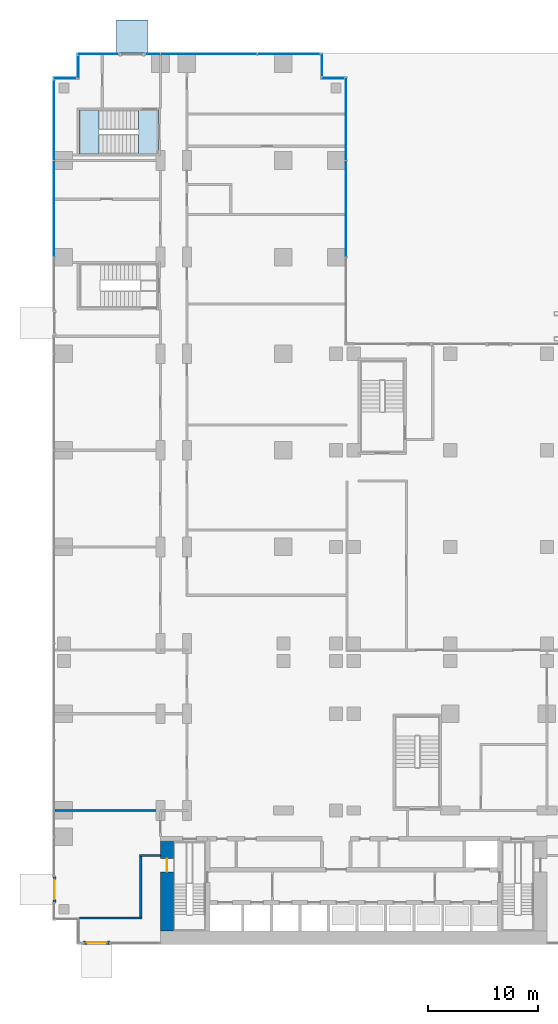
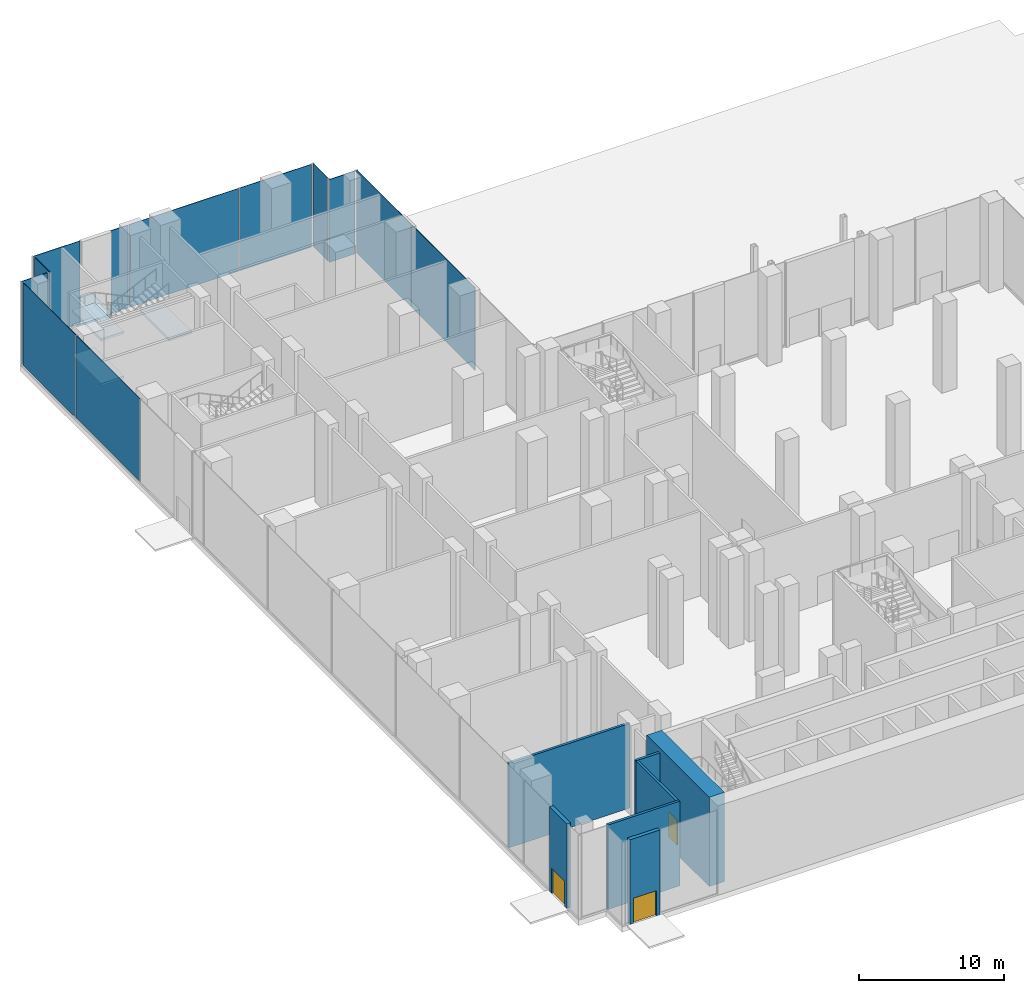
# One storey, part 23 of 41: 12 plates, 7 walls, 4 slabs, 3 doors, 3 openings, 9 elements without a shape of their own.
"""IFC4 building model written with IfcOpenShell, lengths in metres."""

from ifc_helpers import new_model, si_unit, direction, frame, frame_2d, origin, origin_2d, place, context, subcontext, project, spatial, polyline, rectangle, outline, extrude, source, transform, mapped, material, layer, layer_set, type_object, element, fill, aggregate, save


model = new_model("IFC4")

# Units and contexts
model_context = context("Model", 3, precision=1e-05, world=origin(), true_north=direction((0.0, 1.0)))
body_context = subcontext(model_context, "Body", "Model", "MODEL_VIEW")
ifc_project = project(units=[si_unit("LENGTHUNIT", "METRE"), si_unit("AREAUNIT", "SQUARE_METRE"), si_unit("VOLUMEUNIT", "CUBIC_METRE"), si_unit("PLANEANGLEUNIT", "RADIAN"), si_unit("MASSUNIT", "GRAM", prefix="KILO")], contexts=[model_context])

# Site, building, storey
site_placement = place(None, origin())
site = spatial("IfcSite", under=ifc_project, at=site_placement, CompositionType="ELEMENT")
building_placement = place(site_placement, origin())
building = spatial("IfcBuilding", under=site, at=building_placement, Name="Kemantara Hotel Tower", CompositionType="ELEMENT")
storey_placement = place(building_placement, origin())
storey = spatial("IfcBuildingStorey", under=building, at=storey_placement, Name="L00", CompositionType="ELEMENT", Elevation=0.0)

# Slab
ifc_material_1 = material(Name="Granite paving on concrete base (fc 25 MPa)", Category="masonry")
ifc_layer_1 = layer(ifc_material_1, 0.14990234375)
ifc_layer_set_1 = layer_set([ifc_layer_1], Name="Granite paving on concrete base (fc 25 MPa)")
slab_type_1 = type_object("IfcSlabType", Name="PLAZA PAVING 150", PredefinedType="USERDEFINED", material=ifc_layer_set_1)
slab_1_placement = place(storey_placement, frame((0.0, 0.0, -0.14990234375)))
element("IfcSlab", 1, at=slab_1_placement, inside=storey, type_object=slab_type_1, Name="ENTRANCE PAVING EXIT-ST6", ObjectType="PAVING", PredefinedType="USERDEFINED", context=body_context, shape_type="SweptSolid", body=[
    extrude(outline(polyline([(5.800048828125, 81.199951171875), (5.800048828125, 84.199951171875), (8.60009765625, 84.199951171875), (8.60009765625, 81.199951171875), (5.800048828125, 81.199951171875)])), origin(), (0.0, 0.0, 1.0), 0.14990234375),
])

# Stair, slabs
ifc_material_2 = material(Name="Concrete fc 40 MPa", Category="concrete")
stair_type = type_object("IfcStairType", Name="Stair 1800 wide 44 risers of 170 x 360 mm", PredefinedType="HALF_TURN_STAIR", material=ifc_material_2)
stair_placement = place(storey_placement, origin())
stair = element("IfcStair", 2, at=stair_placement, inside=storey, type_object=stair_type, Name="L00 Exit stair ST6", PredefinedType="HALF_TURN_STAIR")
ifc_layer_2 = layer(ifc_material_2, 0.199951171875)
ifc_layer_set_2 = layer_set([ifc_layer_2], Name="Concrete fc 40 MPa")
slab_type_2 = type_object("IfcSlabType", Name="Stair landing 200 mm", PredefinedType="LANDING", material=ifc_layer_set_2)
slab_2_placement = place(storey_placement, frame((0.0, 0.0, 1.675048828125)))
slab_2 = element("IfcSlab", 3, at=slab_2_placement, type_object=slab_type_2, Name="ST6 landing 1", PredefinedType="LANDING", context=body_context, shape_type="SweptSolid", body=[
    extrude(outline(polyline([(4.199951171875, 76.0), (2.39990234375, 76.0), (2.39990234375, 72.0), (4.199951171875, 72.0), (4.199951171875, 76.0)])), origin(), (0.0, 0.0, 1.0), 0.199951171875),
])
slab_3_placement = place(storey_placement, frame((0.0, 0.0, 3.550048828125)))
slab_3 = element("IfcSlab", 4, at=slab_3_placement, type_object=slab_type_2, Name="ST6 landing 2", PredefinedType="LANDING", context=body_context, shape_type="SweptSolid", body=[
    extrude(outline(polyline([(9.60009765625, 76.0), (7.800048828125, 76.0), (7.800048828125, 72.0), (9.60009765625, 72.0), (9.60009765625, 76.0)])), origin(), (0.0, 0.0, 1.0), 0.199951171875),
])
slab_4_placement = place(storey_placement, frame((0.0, 0.0, 5.425048828125)))
slab_4 = element("IfcSlab", 5, at=slab_4_placement, type_object=slab_type_2, Name="ST6 landing 3", PredefinedType="LANDING", context=body_context, shape_type="SweptSolid", body=[
    extrude(outline(polyline([(4.199951171875, 76.0), (2.39990234375, 76.0), (2.39990234375, 72.0), (4.199951171875, 72.0), (4.199951171875, 76.0)])), origin(), (0.0, 0.0, 1.0), 0.199951171875),
])
aggregate(stair, [slab_2, slab_3, slab_4])

# Curtain wall, plate
ifc_material_3 = material(Name="Laminated tinted insulated glass 44 mm", Category="glass")
curtain_wall_type = type_object("IfcCurtainWallType", Name="PODIUM GLASS CURTAIN WALL", PredefinedType="USERDEFINED", material=ifc_material_3)
curtain_wall_1_placement = place(storey_placement, origin())
curtain_wall_1 = element("IfcCurtainWall", 6, at=curtain_wall_1_placement, inside=storey, type_object=curtain_wall_type, Name="CW1 L00 POD-R10-1", ObjectType="PODIUM GLASS CURTAIN WALL", PredefinedType="USERDEFINED")
ifc_layer_3 = layer(ifc_material_3, 0.0439453125)
ifc_layer_set_3 = layer_set([ifc_layer_3], Name="Laminated tinted insulated glass 44 mm")
plate_type = type_object("IfcPlateType", Name="PODIUM GLASS CURTAIN WALL PANEL", PredefinedType="CURTAIN_PANEL", material=ifc_layer_set_3)
shared_shape_1 = source(origin(), body_context, "Body", "SweptSolid", [
    extrude(rectangle(XDim=8.72509765625, YDim=0.0439453125, at=origin_2d()), origin(), (0.0, 0.0, 1.0), 6.949951171875),
])
plate_1_placement = place(storey_placement, frame((26.699951171875, 67.0, 0.14990234375), z_axis=(0.0, 0.0, 1.0), x_axis=(0.0, 1.0, 0.0)))
plate_1 = element("IfcPlate", 7, at=plate_1_placement, type_object=plate_type, Name="CW1 glass panel POD-R10-1.2", PredefinedType="CURTAIN_PANEL", context=body_context, shape_type="MappedRepresentation", body=[
    mapped(shared_shape_1, transform((0.0, 0.0, 0.0))),
])

curtain_wall_2_placement = place(storey_placement, origin())
curtain_wall_2 = element("IfcCurtainWall", 8, at=curtain_wall_2_placement, inside=storey, type_object=curtain_wall_type, Name="CW1 L00 POD-R13-1", ObjectType="PODIUM GLASS CURTAIN WALL", PredefinedType="USERDEFINED")
plate_2_placement = place(storey_placement, frame((14.199951171875, 81.10009765625, 0.14990234375), z_axis=(0.0, 0.0, 1.0), x_axis=(-1.0, 0.0, 0.0)))
plate_2 = element("IfcPlate", 9, at=plate_2_placement, type_object=plate_type, Name="CW1 glass panel POD-R13-1.2", PredefinedType="CURTAIN_PANEL", context=body_context, shape_type="MappedRepresentation", body=[
    mapped(shared_shape_1, transform((0.0, 0.0, 0.0))),
])

curtain_wall_3_placement = place(storey_placement, origin())
curtain_wall_3 = element("IfcCurtainWall", 10, at=curtain_wall_3_placement, inside=storey, type_object=curtain_wall_type, Name="CW1 L00 POD-R16-1", ObjectType="PODIUM GLASS CURTAIN WALL", PredefinedType="USERDEFINED")
plate_3_placement = place(storey_placement, frame((0.10009765625, 67.0, 0.14990234375), z_axis=(0.0, 0.0, 1.0), x_axis=(0.0, -1.0, 0.0)))
plate_3 = element("IfcPlate", 11, at=plate_3_placement, type_object=plate_type, Name="CW1 glass panel POD-R16-1.2", PredefinedType="CURTAIN_PANEL", context=body_context, shape_type="MappedRepresentation", body=[
    mapped(shared_shape_1, transform((0.0, 0.0, 0.0))),
])

# Plate
shared_shape_2 = source(origin(), body_context, "Body", "SweptSolid", [
    extrude(rectangle(XDim=7.487548828125, YDim=0.0439453125, at=origin_2d()), origin(), (0.0, 0.0, 1.0), 6.949951171875),
])
plate_4_placement = place(storey_placement, frame((26.699951171875, 75.18115234375, 0.14990234375), z_axis=(0.0, 0.0, 1.0), x_axis=(0.0, 1.0, 0.0)))
plate_4 = element("IfcPlate", 12, at=plate_4_placement, type_object=plate_type, Name="CW1 glass panel POD-R10-1.3", PredefinedType="CURTAIN_PANEL", context=body_context, shape_type="MappedRepresentation", body=[
    mapped(shared_shape_2, transform((0.0, 0.0, 0.0))),
])

aggregate(curtain_wall_1, [plate_1, plate_4])

shared_shape_3 = source(origin(), body_context, "Body", "SweptSolid", [
    extrude(rectangle(XDim=7.28759765625, YDim=0.0439453125, at=origin_2d()), origin(), (0.0, 0.0, 1.0), 6.949951171875),
])
plate_5_placement = place(storey_placement, frame((0.10009765625, 75.081298828125, 0.14990234375), z_axis=(0.0, 0.0, 1.0), x_axis=(0.0, -1.0, 0.0)))
plate_5 = element("IfcPlate", 13, at=plate_5_placement, type_object=plate_type, Name="CW1 glass panel POD-R16-1.1", PredefinedType="CURTAIN_PANEL", context=body_context, shape_type="MappedRepresentation", body=[
    mapped(shared_shape_3, transform((0.0, 0.0, 0.0))),
])

aggregate(curtain_wall_3, [plate_5, plate_3])

shared_shape_4 = source(origin(), body_context, "Body", "SweptSolid", [
    extrude(rectangle(XDim=5.6875, YDim=0.0439453125, at=origin_2d()), origin(), (0.0, 0.0, 1.0), 6.949951171875),
])
plate_6_placement = place(storey_placement, frame((21.481201171875, 81.10009765625, 0.14990234375), z_axis=(0.0, 0.0, 1.0), x_axis=(-1.0, 0.0, 0.0)))
plate_6 = element("IfcPlate", 14, at=plate_6_placement, type_object=plate_type, Name="CW1 glass panel POD-R13-1.1", PredefinedType="CURTAIN_PANEL", context=body_context, shape_type="MappedRepresentation", body=[
    mapped(shared_shape_4, transform((0.0, 0.0, 0.0))),
])

shared_shape_5 = source(origin(), body_context, "Body", "SweptSolid", [
    extrude(rectangle(XDim=1.324951171875, YDim=0.0439453125, at=origin_2d()), origin(), (0.0, 0.0, 1.0), 6.949951171875),
])
plate_7_placement = place(storey_placement, frame((9.10009765625, 81.10009765625, 0.14990234375), z_axis=(0.0, 0.0, 1.0), x_axis=(-1.0, 0.0, 0.0)))
plate_7 = element("IfcPlate", 15, at=plate_7_placement, type_object=plate_type, Name="CW1 glass panel POD-R13-1.3", PredefinedType="CURTAIN_PANEL", context=body_context, shape_type="MappedRepresentation", body=[
    mapped(shared_shape_5, transform((0.0, 0.0, 0.0))),
])

aggregate(curtain_wall_2, [plate_6, plate_2, plate_7])

# Curtain wall, plate
curtain_wall_4_placement = place(storey_placement, origin())
curtain_wall_4 = element("IfcCurtainWall", 16, at=curtain_wall_4_placement, inside=storey, type_object=curtain_wall_type, Name="CW1 L00 POD-R13-2", ObjectType="PODIUM GLASS CURTAIN WALL", PredefinedType="USERDEFINED")
shared_shape_6 = source(origin(), body_context, "Body", "SweptSolid", [
    extrude(rectangle(XDim=3.6875, YDim=0.0439453125, at=origin_2d()), origin(), (0.0, 0.0, 1.0), 6.949951171875),
])
plate_8_placement = place(storey_placement, frame((4.11865234375, 81.10009765625, 0.14990234375), z_axis=(0.0, 0.0, 1.0), x_axis=(-1.0, 0.0, 0.0)))
plate_8 = element("IfcPlate", 17, at=plate_8_placement, type_object=plate_type, Name="CW1 glass panel POD-R13-2.1", PredefinedType="CURTAIN_PANEL", context=body_context, shape_type="MappedRepresentation", body=[
    mapped(shared_shape_6, transform((0.0, 0.0, 0.0))),
])
aggregate(curtain_wall_4, [plate_8])

curtain_wall_5_placement = place(storey_placement, origin())
curtain_wall_5 = element("IfcCurtainWall", 18, at=curtain_wall_5_placement, inside=storey, type_object=curtain_wall_type, Name="CW1 L00 POD-R11-1", ObjectType="PODIUM GLASS CURTAIN WALL", PredefinedType="USERDEFINED")
shared_shape_7 = source(origin(), body_context, "Body", "SweptSolid", [
    extrude(rectangle(XDim=2.050048828125, YDim=0.0439453125, at=origin_2d()), origin(), (0.0, 0.0, 1.0), 6.949951171875),
])
plate_9_placement = place(storey_placement, frame((25.5, 78.89990234375, 0.14990234375), z_axis=(0.0, 0.0, 1.0), x_axis=(-1.0, 0.0, 0.0)))
plate_9 = element("IfcPlate", 19, at=plate_9_placement, type_object=plate_type, Name="CW1 glass panel POD-R11-1.1", PredefinedType="CURTAIN_PANEL", context=body_context, shape_type="MappedRepresentation", body=[
    mapped(shared_shape_7, transform((0.0, 0.0, 0.0))),
])
aggregate(curtain_wall_5, [plate_9])

curtain_wall_6_placement = place(storey_placement, origin())
curtain_wall_6 = element("IfcCurtainWall", 20, at=curtain_wall_6_placement, inside=storey, type_object=curtain_wall_type, Name="CW1 L00 POD-R12-1", ObjectType="PODIUM GLASS CURTAIN WALL", PredefinedType="USERDEFINED")
plate_10_placement = place(storey_placement, frame((24.5, 80.10009765625, 0.14990234375), z_axis=(0.0, 0.0, 1.0), x_axis=(0.0, 1.0, 0.0)))
plate_10 = element("IfcPlate", 21, at=plate_10_placement, type_object=plate_type, Name="CW1 glass panel POD-R12-1.1", PredefinedType="CURTAIN_PANEL", context=body_context, shape_type="MappedRepresentation", body=[
    mapped(shared_shape_7, transform((0.0, 0.0, 0.0))),
])
aggregate(curtain_wall_6, [plate_10])

curtain_wall_7_placement = place(storey_placement, origin())
curtain_wall_7 = element("IfcCurtainWall", 22, at=curtain_wall_7_placement, inside=storey, type_object=curtain_wall_type, Name="CW1 L00 POD-R14-1", ObjectType="PODIUM GLASS CURTAIN WALL", PredefinedType="USERDEFINED")
plate_11_placement = place(storey_placement, frame((2.300048828125, 79.89990234375, 0.14990234375), z_axis=(0.0, 0.0, 1.0), x_axis=(0.0, -1.0, 0.0)))
plate_11 = element("IfcPlate", 23, at=plate_11_placement, type_object=plate_type, Name="CW1 glass panel POD-R14-1.1", PredefinedType="CURTAIN_PANEL", context=body_context, shape_type="MappedRepresentation", body=[
    mapped(shared_shape_7, transform((0.0, 0.0, 0.0))),
])
aggregate(curtain_wall_7, [plate_11])

curtain_wall_8_placement = place(storey_placement, origin())
curtain_wall_8 = element("IfcCurtainWall", 24, at=curtain_wall_8_placement, inside=storey, type_object=curtain_wall_type, Name="CW1 L00 POD-R15-1", ObjectType="PODIUM GLASS CURTAIN WALL", PredefinedType="USERDEFINED")
plate_12_placement = place(storey_placement, frame((1.10009765625, 78.89990234375, 0.14990234375), z_axis=(0.0, 0.0, 1.0), x_axis=(-1.0, 0.0, 0.0)))
plate_12 = element("IfcPlate", 25, at=plate_12_placement, type_object=plate_type, Name="CW1 glass panel POD-R15-1.1", PredefinedType="CURTAIN_PANEL", context=body_context, shape_type="MappedRepresentation", body=[
    mapped(shared_shape_7, transform((0.0, 0.0, 0.0))),
])
aggregate(curtain_wall_8, [plate_12])

# Wall, opening, door
ifc_material_4 = material(Name="Bronze-clad aluminium panel", Category="aluminium")
ifc_layer_4 = layer(ifc_material_4, 0.300048828125)
ifc_layer_set_4 = layer_set([ifc_layer_4], Name="Bronze-clad aluminium panel")
wall_type_1 = type_object("IfcWallType", Name="BRONZE-CLAD EXTERNAL WALL 300", PredefinedType="STANDARD", material=ifc_layer_set_4)
wall_1_placement = place(storey_placement, frame((0.14990234375, 3.800048828125, 0.0), z_axis=(0.0, 0.0, 1.0), x_axis=(0.0, 1.0, 0.0)))
wall_1 = element("IfcWall", 26, at=wall_1_placement, inside=storey, type_object=wall_type_1, Name="EXTERNAL WALL AT ENTRANCE", PredefinedType="STANDARD", context=body_context, shape_type="SweptSolid", body=[
    extrude(rectangle(XDim=2.39990234375, YDim=0.300048828125, at=frame_2d((1.199951171875, 0.0))), origin(), (0.0, 0.0, 1.0), 7.10009765625),
])
opening_1_placement = place(wall_1_placement, frame((0.300048828125, 0.0, 0.0)))
opening_1 = element("IfcOpeningElement", 27, at=opening_1_placement, cuts=wall_1, Name="Opening L00-B039", PredefinedType="OPENING", context=body_context, shape_type="SweptSolid", body=[
    extrude(rectangle(XDim=1.800048828125, YDim=2.10009765625, at=frame_2d((0.89990234375, 1.050048828125))), frame((0.0, 0.159912109375, 0.0), z_axis=(0.0, -1.0, 0.0), x_axis=(1.0, 0.0, 0.0)), (0.0, 0.0, 1.0), 0.320068359375),
])
ifc_material_5 = material(Name="Galvanised steel door leaf", Category="steel")
door_type_1 = type_object("IfcDoorType", Name="FIRE-RATED STEEL DOOR DOUBLE LEAF 1800 X 2100", OperationType="DOUBLE_DOOR_SINGLE_SWING", PredefinedType="DOOR", material=ifc_material_5)
door_1_placement = place(opening_1_placement, origin())
door_1 = element("IfcDoor", 28, at=door_1_placement, inside=storey, type_object=door_type_1, Name="ENTRANCE DOOR", OperationType="DOUBLE_DOOR_SINGLE_SWING", OverallHeight=2.10009765625, OverallWidth=1.800048828125, PredefinedType="DOOR", context=body_context, shape_type="SweptSolid", body=[
    extrude(rectangle(XDim=1.800048828125, YDim=2.10009765625, at=frame_2d((0.89990234375, 1.050048828125))), frame((0.0, 0.02490234375, 0.0), z_axis=(0.0, -1.0, 0.0), x_axis=(1.0, 0.0, 0.0)), (0.0, 0.0, 1.0), 0.050048828125),
])
fill(opening_1, door_1)

wall_2_placement = place(storey_placement, frame((5.199951171875, 0.14990234375, 0.0), z_axis=(0.0, 0.0, 1.0), x_axis=(-1.0, 0.0, 0.0)))
wall_2 = element("IfcWall", 29, at=wall_2_placement, inside=storey, type_object=wall_type_1, Name="EXTERNAL WALL AT ENTRANCE", PredefinedType="STANDARD", context=body_context, shape_type="SweptSolid", body=[
    extrude(rectangle(XDim=2.39990234375, YDim=0.300048828125, at=frame_2d((1.199951171875, 0.0))), origin(), (0.0, 0.0, 1.0), 7.10009765625),
])
opening_2_placement = place(wall_2_placement, frame((0.300048828125, 0.0, 0.0)))
opening_2 = element("IfcOpeningElement", 30, at=opening_2_placement, cuts=wall_2, Name="Opening L00-B040", PredefinedType="OPENING", context=body_context, shape_type="SweptSolid", body=[
    extrude(rectangle(XDim=1.800048828125, YDim=2.10009765625, at=frame_2d((0.89990234375, 1.050048828125))), frame((0.0, 0.159912109375, 0.0), z_axis=(0.0, -1.0, 0.0), x_axis=(1.0, 0.0, 0.0)), (0.0, 0.0, 1.0), 0.320068359375),
])
door_2_placement = place(opening_2_placement, origin())
door_2 = element("IfcDoor", 31, at=door_2_placement, inside=storey, type_object=door_type_1, Name="ENTRANCE DOOR", OperationType="DOUBLE_DOOR_SINGLE_SWING", OverallHeight=2.10009765625, OverallWidth=1.800048828125, PredefinedType="DOOR", context=body_context, shape_type="SweptSolid", body=[
    extrude(rectangle(XDim=1.800048828125, YDim=2.10009765625, at=frame_2d((0.89990234375, 1.050048828125))), frame((0.0, 0.02490234375, 0.0), z_axis=(0.0, -1.0, 0.0), x_axis=(1.0, 0.0, 0.0)), (0.0, 0.0, 1.0), 0.050048828125),
])
fill(opening_2, door_2)

ifc_material_6 = material(Name="Concrete fc 70 MPa", Category="concrete")
ifc_layer_5 = layer(ifc_material_6, 1.199951171875)
ifc_layer_set_5 = layer_set([ifc_layer_5], Name="Concrete fc 70 MPa")
wall_type_2 = type_object("IfcWallType", Name="CORE WALL 1200 FC70", PredefinedType="SHEAR", material=ifc_layer_set_5)
wall_3_placement = place(storey_placement, frame((10.39990234375, 1.199951171875, 0.0), z_axis=(0.0, 0.0, 1.0), x_axis=(0.0, 1.0, 0.0)))
wall_3 = element("IfcWall", 32, at=wall_3_placement, inside=storey, type_object=wall_type_2, Name="CORE WALL CW-W", PredefinedType="SHEAR", context=body_context, shape_type="SweptSolid", body=[
    extrude(rectangle(XDim=8.60009765625, YDim=1.199951171875, at=frame_2d((4.300048828125, 0.0))), origin(), (0.0, 0.0, 1.0), 7.5),
])
opening_3_placement = place(wall_3_placement, frame((5.39990234375, 0.0, 0.0)))
opening_3 = element("IfcOpeningElement", 33, at=opening_3_placement, cuts=wall_3, Name="Opening ST1-X", PredefinedType="OPENING", context=body_context, shape_type="SweptSolid", body=[
    extrude(rectangle(XDim=1.199951171875, YDim=2.10009765625, at=frame_2d((0.60009765625, 1.050048828125))), frame((0.0, 0.60986328125, 0.0), z_axis=(0.0, -1.0, 0.0), x_axis=(1.0, 0.0, 0.0)), (0.0, 0.0, 1.0), 1.219970703125),
])
ifc_material_7 = material(Name="Steel fire door", Category="steel")
door_type_2 = type_object("IfcDoorType", Name="Fire door FD90 1200 x 2100", OperationType="NOTDEFINED", PredefinedType="DOOR", material=ifc_material_7)
door_3_placement = place(opening_3_placement, origin())
door_3 = element("IfcDoor", 34, at=door_3_placement, inside=storey, type_object=door_type_2, Name="Stair ST1 exit door to its exit passage", OperationType="SINGLE_SWING_RIGHT", OverallHeight=2.10009765625, OverallWidth=1.199951171875, PredefinedType="DOOR", context=body_context, shape_type="SweptSolid", body=[
    extrude(rectangle(XDim=1.199951171875, YDim=2.10009765625, at=frame_2d((0.60009765625, 1.050048828125))), frame((0.0, 0.02490234375, 0.0), z_axis=(0.0, -1.0, 0.0), x_axis=(1.0, 0.0, 0.0)), (0.0, 0.0, 1.0), 0.050048828125),
])
fill(opening_3, door_3)

# Walls
ifc_material_8 = material(Name="Clay brick masonry", Category="masonry")
ifc_layer_6 = layer(ifc_material_8, 0.199951171875)
ifc_layer_set_6 = layer_set([ifc_layer_6], Name="Clay brick masonry")
wall_type_3 = type_object("IfcWallType", Name="FIRE-RATED CLAY BRICK WALL 200 EI 120", PredefinedType="PARTITIONING", material=ifc_layer_set_6)
wall_4_placement = place(storey_placement, frame((0.199951171875, 12.199951171875, 0.0), z_axis=(0.0, 0.0, 1.0), x_axis=(1.0, 0.0, 0.0)))
element("IfcWall", 35, at=wall_4_placement, inside=storey, type_object=wall_type_3, Name="FIRE WALL", PredefinedType="PARTITIONING", context=body_context, shape_type="SweptSolid", body=[
    extrude(rectangle(XDim=9.60009765625, YDim=0.199951171875, at=frame_2d((4.800048828125, 0.0))), origin(), (0.0, 0.0, 1.0), 7.10009765625),
])
ifc_material_9 = material(Name="Fire-rated gypsum board partition")
ifc_layer_7 = layer(ifc_material_9, 0.199951171875)
ifc_layer_set_7 = layer_set([ifc_layer_7], Name="Fire-rated gypsum board partition")
wall_type_4 = type_object("IfcWallType", Name="FIRE-RATED GYPSUM PARTITION 200 EI 60", PredefinedType="PARTITIONING", material=ifc_layer_set_7)
wall_5_placement = place(storey_placement, frame((2.39990234375, 2.39990234375, 0.0), z_axis=(0.0, 0.0, 1.0), x_axis=(1.0, 0.0, 0.0)))
element("IfcWall", 36, at=wall_5_placement, inside=storey, type_object=wall_type_4, Name="FIRE-RATED PARTITION", PredefinedType="PARTITIONING", context=body_context, shape_type="SweptSolid", body=[
    extrude(rectangle(XDim=5.7001953125, YDim=0.199951171875, at=frame_2d((2.85009765625, 0.0))), origin(), (0.0, 0.0, 1.0), 7.10009765625),
])
wall_6_placement = place(storey_placement, frame((7.89990234375, 8.10009765625, 0.0), z_axis=(0.0, 0.0, 1.0), x_axis=(1.0, 0.0, 0.0)))
element("IfcWall", 37, at=wall_6_placement, inside=storey, type_object=wall_type_4, Name="FIRE-RATED PARTITION", PredefinedType="PARTITIONING", context=body_context, shape_type="SweptSolid", body=[
    extrude(rectangle(XDim=1.900146484375, YDim=0.199951171875, at=frame_2d((0.9501953125, 0.0))), origin(), (0.0, 0.0, 1.0), 7.10009765625),
])
wall_7_placement = place(storey_placement, frame((8.0, 2.5, 0.0), z_axis=(0.0, 0.0, 1.0), x_axis=(0.0, 1.0, 0.0)))
element("IfcWall", 38, at=wall_7_placement, inside=storey, type_object=wall_type_4, Name="FIRE-RATED PARTITION", PredefinedType="PARTITIONING", context=body_context, shape_type="SweptSolid", body=[
    extrude(rectangle(XDim=5.5, YDim=0.199951171875, at=frame_2d((2.75, 0.0))), origin(), (0.0, 0.0, 1.0), 7.10009765625),
])

save(model, "model.ifc")
